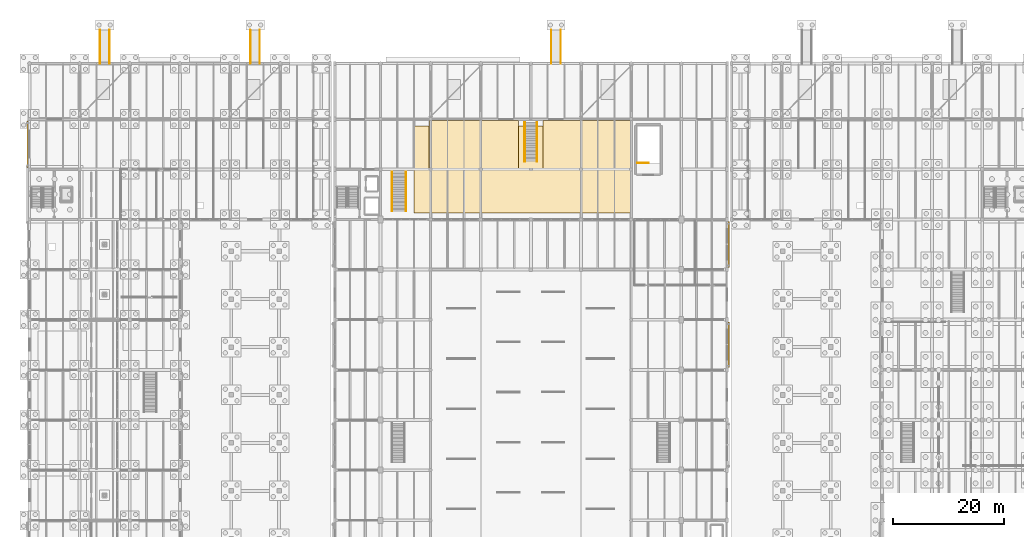
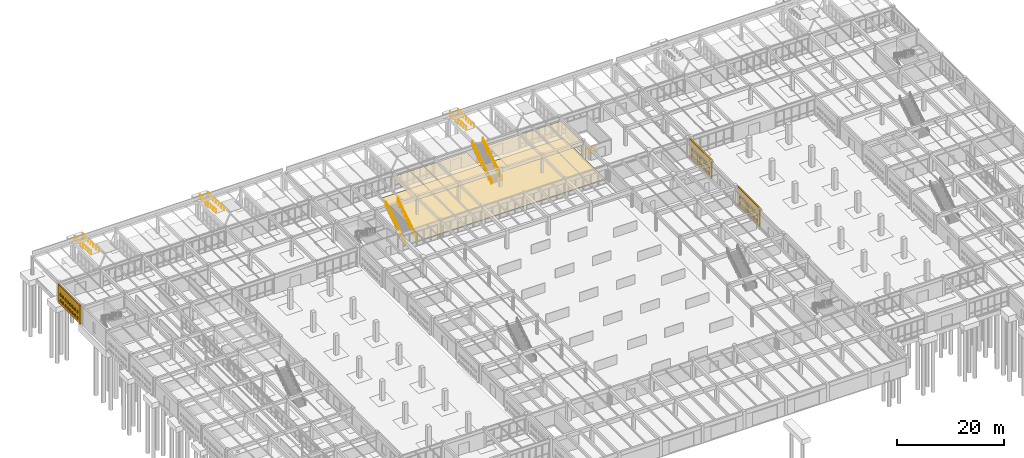
# One storey, part 182 of 186: 15 railings, 6 coverings.
"""IFC4 building model written with IfcOpenShell, lengths in metres."""

from ifc_helpers import new_model, si_unit, direction, frame, origin, origin_2d, place, context, subcontext, project, spatial, polyline, circle, outline, extrude, material, layer, layer_set, type_object, element, save


model = new_model("IFC4")

# Units and contexts
model_context = context("Model", 3, precision=1e-05, world=origin(), true_north=direction((0.0, 1.0)))
body_context = subcontext(model_context, "Body", "Model", "MODEL_VIEW")
ifc_project = project(units=[si_unit("LENGTHUNIT", "METRE"), si_unit("AREAUNIT", "SQUARE_METRE"), si_unit("VOLUMEUNIT", "CUBIC_METRE"), si_unit("PLANEANGLEUNIT", "RADIAN"), si_unit("MASSUNIT", "GRAM", prefix="KILO")], contexts=[model_context])

# Site, building, storey
site_placement = place(None, origin())
site = spatial("IfcSite", under=ifc_project, at=site_placement, CompositionType="ELEMENT")
building_placement = place(site_placement, origin())
building = spatial("IfcBuilding", under=site, at=building_placement, Name="Ornek Quay Market", CompositionType="ELEMENT")
storey_placement = place(building_placement, origin())
storey = spatial("IfcBuildingStorey", under=building, at=storey_placement, Name="L00", CompositionType="ELEMENT", Elevation=0.0)

# Coverings
ifc_material_1 = material(Name="Frost-resistant facing clay brick M200 F100", Category="masonry")
ifc_layer_1 = layer(ifc_material_1, 0.25, Name="Frost-resistant facing clay brick M200 F100", Category="masonry")
ifc_layer_set_1 = layer_set([ifc_layer_1], Name="Frost-resistant facing clay brick M200 F100")
covering_type_1 = type_object("IfcCoveringType", Name="COV-BRICK-LATTICE-250", PredefinedType="CLADDING", material=ifc_layer_set_1)
covering_1_placement = place(storey_placement, frame((-0.340087890625, 101.35009765625, 0.0), z_axis=(0.0, 0.0, 1.0), x_axis=(0.0, 1.0, 0.0)))
element("IfcCovering", 1, at=covering_1_placement, inside=storey, type_object=covering_type_1, Name="Arched brick lattice screen BLS-006", PredefinedType="CLADDING", context=body_context, shape_type="SweptSolid", body=[
    extrude(outline(polyline([(0.0, 0.0), (8.2998046875, 0.0), (8.2998046875, 4.219970703125), (0.0, 4.219970703125), (0.0, 0.0)]), holes=[polyline([(0.760009765625, 0.550048828125), (1.239990234375, 0.550048828125), (1.239990234375, 1.050048828125), (1.1201171875, 1.2578125), (0.8798828125, 1.2578125), (0.760009765625, 1.050048828125), (0.760009765625, 0.550048828125)]), polyline([(0.760009765625, 1.949951171875), (1.239990234375, 1.949951171875), (1.239990234375, 2.449951171875), (1.1201171875, 2.65771484375), (0.8798828125, 2.65771484375), (0.760009765625, 2.449951171875), (0.760009765625, 1.949951171875)]), polyline([(1.659912109375, 0.550048828125), (2.139892578125, 0.550048828125), (2.139892578125, 1.050048828125), (2.02001953125, 1.2578125), (1.780029296875, 1.2578125), (1.659912109375, 1.050048828125), (1.659912109375, 0.550048828125)]), polyline([(1.659912109375, 1.949951171875), (2.139892578125, 1.949951171875), (2.139892578125, 2.449951171875), (2.02001953125, 2.65771484375), (1.780029296875, 2.65771484375), (1.659912109375, 2.449951171875), (1.659912109375, 1.949951171875)]), polyline([(2.56005859375, 0.550048828125), (3.0400390625, 0.550048828125), (3.0400390625, 1.050048828125), (2.919921875, 1.2578125), (2.679931640625, 1.2578125), (2.56005859375, 1.050048828125), (2.56005859375, 0.550048828125)]), polyline([(2.56005859375, 1.949951171875), (3.0400390625, 1.949951171875), (3.0400390625, 2.449951171875), (2.919921875, 2.65771484375), (2.679931640625, 2.65771484375), (2.56005859375, 2.449951171875), (2.56005859375, 1.949951171875)]), polyline([(3.4599609375, 0.550048828125), (3.93994140625, 0.550048828125), (3.93994140625, 1.050048828125), (3.820068359375, 1.2578125), (3.580078125, 1.2578125), (3.4599609375, 1.050048828125), (3.4599609375, 0.550048828125)]), polyline([(3.4599609375, 1.949951171875), (3.93994140625, 1.949951171875), (3.93994140625, 2.449951171875), (3.820068359375, 2.65771484375), (3.580078125, 2.65771484375), (3.4599609375, 2.449951171875), (3.4599609375, 1.949951171875)]), polyline([(4.360107421875, 0.550048828125), (4.840087890625, 0.550048828125), (4.840087890625, 1.050048828125), (4.719970703125, 1.2578125), (4.47998046875, 1.2578125), (4.360107421875, 1.050048828125), (4.360107421875, 0.550048828125)]), polyline([(4.360107421875, 1.949951171875), (4.840087890625, 1.949951171875), (4.840087890625, 2.449951171875), (4.719970703125, 2.65771484375), (4.47998046875, 2.65771484375), (4.360107421875, 2.449951171875), (4.360107421875, 1.949951171875)]), polyline([(5.260009765625, 0.550048828125), (5.739990234375, 0.550048828125), (5.739990234375, 1.050048828125), (5.6201171875, 1.2578125), (5.3798828125, 1.2578125), (5.260009765625, 1.050048828125), (5.260009765625, 0.550048828125)]), polyline([(5.260009765625, 1.949951171875), (5.739990234375, 1.949951171875), (5.739990234375, 2.449951171875), (5.6201171875, 2.65771484375), (5.3798828125, 2.65771484375), (5.260009765625, 2.449951171875), (5.260009765625, 1.949951171875)]), polyline([(6.159912109375, 0.550048828125), (6.639892578125, 0.550048828125), (6.639892578125, 1.050048828125), (6.52001953125, 1.2578125), (6.280029296875, 1.2578125), (6.159912109375, 1.050048828125), (6.159912109375, 0.550048828125)]), polyline([(6.159912109375, 1.949951171875), (6.639892578125, 1.949951171875), (6.639892578125, 2.449951171875), (6.52001953125, 2.65771484375), (6.280029296875, 2.65771484375), (6.159912109375, 2.449951171875), (6.159912109375, 1.949951171875)]), polyline([(7.06005859375, 0.550048828125), (7.5400390625, 0.550048828125), (7.5400390625, 1.050048828125), (7.419921875, 1.2578125), (7.179931640625, 1.2578125), (7.06005859375, 1.050048828125), (7.06005859375, 0.550048828125)]), polyline([(7.06005859375, 1.949951171875), (7.5400390625, 1.949951171875), (7.5400390625, 2.449951171875), (7.419921875, 2.65771484375), (7.179931640625, 2.65771484375), (7.06005859375, 2.449951171875), (7.06005859375, 1.949951171875)])]), frame((0.0, 0.125, 0.0), z_axis=(0.0, -1.0, 0.0), x_axis=(1.0, 0.0, 0.0)), (0.0, 0.0, 1.0), 0.25),
])
ifc_layer_2 = layer(ifc_material_1, 0.2900390625, Name="Frost-resistant facing clay brick M200 F100", Category="masonry")
ifc_layer_set_2 = layer_set([ifc_layer_2], Name="Frost-resistant facing clay brick M200 F100")
covering_type_2 = type_object("IfcCoveringType", Name="COV-BRICK-LATTICE-290", PredefinedType="CLADDING", material=ifc_layer_set_2)
covering_2_placement = place(storey_placement, frame((125.5400390625, 65.39990234375, 0.0), z_axis=(0.0, 0.0, 1.0), x_axis=(0.0, 1.0, 0.0)))
element("IfcCovering", 2, at=covering_2_placement, inside=storey, type_object=covering_type_2, Name="Arched brick lattice screen BLS-040", PredefinedType="CLADDING", context=body_context, shape_type="SweptSolid", body=[
    extrude(outline(polyline([(0.0, 0.0), (8.2001953125, 0.0), (8.2001953125, 4.239990234375), (0.0, 4.239990234375), (0.0, 0.0)]), holes=[polyline([(0.7099609375, 0.550048828125), (1.18994140625, 0.550048828125), (1.18994140625, 1.050048828125), (1.070068359375, 1.2578125), (0.830078125, 1.2578125), (0.7099609375, 1.050048828125), (0.7099609375, 0.550048828125)]), polyline([(0.7099609375, 1.949951171875), (1.18994140625, 1.949951171875), (1.18994140625, 2.449951171875), (1.070068359375, 2.65771484375), (0.830078125, 2.65771484375), (0.7099609375, 2.449951171875), (0.7099609375, 1.949951171875)]), polyline([(1.610107421875, 0.550048828125), (2.090087890625, 0.550048828125), (2.090087890625, 1.050048828125), (1.969970703125, 1.2578125), (1.72998046875, 1.2578125), (1.610107421875, 1.050048828125), (1.610107421875, 0.550048828125)]), polyline([(1.610107421875, 1.949951171875), (2.090087890625, 1.949951171875), (2.090087890625, 2.449951171875), (1.969970703125, 2.65771484375), (1.72998046875, 2.65771484375), (1.610107421875, 2.449951171875), (1.610107421875, 1.949951171875)]), polyline([(2.510009765625, 0.550048828125), (2.989990234375, 0.550048828125), (2.989990234375, 1.050048828125), (2.8701171875, 1.2578125), (2.6298828125, 1.2578125), (2.510009765625, 1.050048828125), (2.510009765625, 0.550048828125)]), polyline([(2.510009765625, 1.949951171875), (2.989990234375, 1.949951171875), (2.989990234375, 2.449951171875), (2.8701171875, 2.65771484375), (2.6298828125, 2.65771484375), (2.510009765625, 2.449951171875), (2.510009765625, 1.949951171875)]), polyline([(3.409912109375, 0.550048828125), (3.889892578125, 0.550048828125), (3.889892578125, 1.050048828125), (3.77001953125, 1.2578125), (3.530029296875, 1.2578125), (3.409912109375, 1.050048828125), (3.409912109375, 0.550048828125)]), polyline([(3.409912109375, 1.949951171875), (3.889892578125, 1.949951171875), (3.889892578125, 2.449951171875), (3.77001953125, 2.65771484375), (3.530029296875, 2.65771484375), (3.409912109375, 2.449951171875), (3.409912109375, 1.949951171875)]), polyline([(4.31005859375, 0.550048828125), (4.7900390625, 0.550048828125), (4.7900390625, 1.050048828125), (4.669921875, 1.2578125), (4.429931640625, 1.2578125), (4.31005859375, 1.050048828125), (4.31005859375, 0.550048828125)]), polyline([(4.31005859375, 1.949951171875), (4.7900390625, 1.949951171875), (4.7900390625, 2.449951171875), (4.669921875, 2.65771484375), (4.429931640625, 2.65771484375), (4.31005859375, 2.449951171875), (4.31005859375, 1.949951171875)]), polyline([(5.2099609375, 0.550048828125), (5.68994140625, 0.550048828125), (5.68994140625, 1.050048828125), (5.570068359375, 1.2578125), (5.330078125, 1.2578125), (5.2099609375, 1.050048828125), (5.2099609375, 0.550048828125)]), polyline([(5.2099609375, 1.949951171875), (5.68994140625, 1.949951171875), (5.68994140625, 2.449951171875), (5.570068359375, 2.65771484375), (5.330078125, 2.65771484375), (5.2099609375, 2.449951171875), (5.2099609375, 1.949951171875)]), polyline([(6.110107421875, 0.550048828125), (6.590087890625, 0.550048828125), (6.590087890625, 1.050048828125), (6.469970703125, 1.2578125), (6.22998046875, 1.2578125), (6.110107421875, 1.050048828125), (6.110107421875, 0.550048828125)]), polyline([(6.110107421875, 1.949951171875), (6.590087890625, 1.949951171875), (6.590087890625, 2.449951171875), (6.469970703125, 2.65771484375), (6.22998046875, 2.65771484375), (6.110107421875, 2.449951171875), (6.110107421875, 1.949951171875)]), polyline([(7.010009765625, 0.550048828125), (7.489990234375, 0.550048828125), (7.489990234375, 1.050048828125), (7.3701171875, 1.2578125), (7.1298828125, 1.2578125), (7.010009765625, 1.050048828125), (7.010009765625, 0.550048828125)]), polyline([(7.010009765625, 1.949951171875), (7.489990234375, 1.949951171875), (7.489990234375, 2.449951171875), (7.3701171875, 2.65771484375), (7.1298828125, 2.65771484375), (7.010009765625, 2.449951171875), (7.010009765625, 1.949951171875)])]), frame((0.0, 0.14501953125, 0.0), z_axis=(0.0, -1.0, 0.0), x_axis=(1.0, 0.0, 0.0)), (0.0, 0.0, 1.0), 0.2900390625),
])
covering_3_placement = place(storey_placement, frame((125.5400390625, 83.39990234375, 0.0), z_axis=(0.0, 0.0, 1.0), x_axis=(0.0, 1.0, 0.0)))
element("IfcCovering", 3, at=covering_3_placement, inside=storey, type_object=covering_type_2, Name="Arched brick lattice screen BLS-041", PredefinedType="CLADDING", context=body_context, shape_type="SweptSolid", body=[
    extrude(outline(polyline([(0.0, 0.0), (8.2001953125, 0.0), (8.2001953125, 4.239990234375), (0.0, 4.239990234375), (0.0, 0.0)]), holes=[polyline([(0.7099609375, 0.550048828125), (1.18994140625, 0.550048828125), (1.18994140625, 1.050048828125), (1.070068359375, 1.2578125), (0.830078125, 1.2578125), (0.7099609375, 1.050048828125), (0.7099609375, 0.550048828125)]), polyline([(0.7099609375, 1.949951171875), (1.18994140625, 1.949951171875), (1.18994140625, 2.449951171875), (1.070068359375, 2.65771484375), (0.830078125, 2.65771484375), (0.7099609375, 2.449951171875), (0.7099609375, 1.949951171875)]), polyline([(1.610107421875, 0.550048828125), (2.090087890625, 0.550048828125), (2.090087890625, 1.050048828125), (1.969970703125, 1.2578125), (1.72998046875, 1.2578125), (1.610107421875, 1.050048828125), (1.610107421875, 0.550048828125)]), polyline([(1.610107421875, 1.949951171875), (2.090087890625, 1.949951171875), (2.090087890625, 2.449951171875), (1.969970703125, 2.65771484375), (1.72998046875, 2.65771484375), (1.610107421875, 2.449951171875), (1.610107421875, 1.949951171875)]), polyline([(2.510009765625, 0.550048828125), (2.989990234375, 0.550048828125), (2.989990234375, 1.050048828125), (2.8701171875, 1.2578125), (2.6298828125, 1.2578125), (2.510009765625, 1.050048828125), (2.510009765625, 0.550048828125)]), polyline([(2.510009765625, 1.949951171875), (2.989990234375, 1.949951171875), (2.989990234375, 2.449951171875), (2.8701171875, 2.65771484375), (2.6298828125, 2.65771484375), (2.510009765625, 2.449951171875), (2.510009765625, 1.949951171875)]), polyline([(3.409912109375, 0.550048828125), (3.889892578125, 0.550048828125), (3.889892578125, 1.050048828125), (3.77001953125, 1.2578125), (3.530029296875, 1.2578125), (3.409912109375, 1.050048828125), (3.409912109375, 0.550048828125)]), polyline([(3.409912109375, 1.949951171875), (3.889892578125, 1.949951171875), (3.889892578125, 2.449951171875), (3.77001953125, 2.65771484375), (3.530029296875, 2.65771484375), (3.409912109375, 2.449951171875), (3.409912109375, 1.949951171875)]), polyline([(4.31005859375, 0.550048828125), (4.7900390625, 0.550048828125), (4.7900390625, 1.050048828125), (4.669921875, 1.2578125), (4.429931640625, 1.2578125), (4.31005859375, 1.050048828125), (4.31005859375, 0.550048828125)]), polyline([(4.31005859375, 1.949951171875), (4.7900390625, 1.949951171875), (4.7900390625, 2.449951171875), (4.669921875, 2.65771484375), (4.429931640625, 2.65771484375), (4.31005859375, 2.449951171875), (4.31005859375, 1.949951171875)]), polyline([(5.2099609375, 0.550048828125), (5.68994140625, 0.550048828125), (5.68994140625, 1.050048828125), (5.570068359375, 1.2578125), (5.330078125, 1.2578125), (5.2099609375, 1.050048828125), (5.2099609375, 0.550048828125)]), polyline([(5.2099609375, 1.949951171875), (5.68994140625, 1.949951171875), (5.68994140625, 2.449951171875), (5.570068359375, 2.65771484375), (5.330078125, 2.65771484375), (5.2099609375, 2.449951171875), (5.2099609375, 1.949951171875)]), polyline([(6.110107421875, 0.550048828125), (6.590087890625, 0.550048828125), (6.590087890625, 1.050048828125), (6.469970703125, 1.2578125), (6.22998046875, 1.2578125), (6.110107421875, 1.050048828125), (6.110107421875, 0.550048828125)]), polyline([(6.110107421875, 1.949951171875), (6.590087890625, 1.949951171875), (6.590087890625, 2.449951171875), (6.469970703125, 2.65771484375), (6.22998046875, 2.65771484375), (6.110107421875, 2.449951171875), (6.110107421875, 1.949951171875)]), polyline([(7.010009765625, 0.550048828125), (7.489990234375, 0.550048828125), (7.489990234375, 1.050048828125), (7.3701171875, 1.2578125), (7.1298828125, 1.2578125), (7.010009765625, 1.050048828125), (7.010009765625, 0.550048828125)]), polyline([(7.010009765625, 1.949951171875), (7.489990234375, 1.949951171875), (7.489990234375, 2.449951171875), (7.3701171875, 2.65771484375), (7.1298828125, 2.65771484375), (7.010009765625, 2.449951171875), (7.010009765625, 1.949951171875)])]), frame((0.0, 0.14501953125, 0.0), z_axis=(0.0, -1.0, 0.0), x_axis=(1.0, 0.0, 0.0)), (0.0, 0.0, 1.0), 0.2900390625),
])
ifc_material_2 = material(Name="Perforated larch acoustic slat ceiling", Category="other")
ifc_layer_3 = layer(ifc_material_2, 0.044921875, Name="Perforated larch acoustic slat ceiling", Category="other")
ifc_layer_set_3 = layer_set([ifc_layer_3], Name="Perforated larch acoustic slat ceiling")
covering_type_3 = type_object("IfcCoveringType", Name="COV-CEIL-TIMBER-45", PredefinedType="CEILING", material=ifc_layer_set_3)
covering_4_placement = place(storey_placement, frame((0.0, 0.0, 3.199951171875)))
element("IfcCovering", 4, at=covering_4_placement, inside=storey, type_object=covering_type_3, Name="Suspended acoustic ceiling CLG-04", PredefinedType="CEILING", context=body_context, shape_type="SweptSolid", body=[
    extrude(outline(polyline([(71.75, 101.0), (87.800048828125, 101.0), (87.800048828125, 109.800048828125), (71.75, 109.800048828125), (71.75, 101.0)])), origin(), (0.0, 0.0, 1.0), 0.045166015625),
])
covering_5_placement = place(storey_placement, frame((0.0, 0.0, 3.199951171875)))
element("IfcCovering", 5, at=covering_5_placement, inside=storey, type_object=covering_type_3, Name="Suspended acoustic ceiling CLG-05", PredefinedType="CEILING", context=body_context, shape_type="SweptSolid", body=[
    extrude(outline(polyline([(92.199951171875, 101.0), (108.25, 101.0), (108.25, 109.800048828125), (92.199951171875, 109.800048828125), (92.199951171875, 101.0)])), origin(), (0.0, 0.0, 1.0), 0.045166015625),
])
ifc_material_3 = material(Name="Polished granite-aggregate terrazzo flooring", Category="masonry")
ifc_layer_4 = layer(ifc_material_3, 0.034912109375, Name="Polished granite-aggregate terrazzo flooring", Category="masonry")
ifc_layer_set_4 = layer_set([ifc_layer_4], Name="Polished granite-aggregate terrazzo flooring")
covering_type_4 = type_object("IfcCoveringType", Name="COV-FLR-TERRAZZO-35", PredefinedType="FLOORING", material=ifc_layer_set_4)
covering_6_placement = place(storey_placement, origin())
element("IfcCovering", 6, at=covering_6_placement, inside=storey, type_object=covering_type_4, Name="Finished flooring FLG-15", PredefinedType="FLOORING", context=body_context, shape_type="SweptSolid", body=[
    extrude(outline(polyline([(69.0, 93.199951171875), (108.199951171875, 93.199951171875), (108.199951171875, 108.800048828125), (69.0, 108.800048828125), (69.0, 93.199951171875)])), origin(), (0.0, 0.0, 1.0), 0.034912109375),
])

# Railings
ifc_material_4 = material(Name="Brushed stainless steel 316", Category="steel")
railing_type_1 = type_object("IfcRailingType", Name="RL-GUARD-STAIR-1100", PredefinedType="GUARDRAIL", material=ifc_material_4)
for number, where, name in (
    (7, (65.06005859375, 93.50390625, 0.0), "Railing GR-03-085"),
    (8, (67.639892578125, 93.50390625, 0.0), "Railing GR-03-086"),
):
    element("IfcRailing", number, at=place(storey_placement, frame(where)), inside=storey, type_object=railing_type_1, Name=name, PredefinedType="GUARDRAIL", context=body_context, shape_type="SweptSolid", body=[
        extrude(circle(Radius=0.02392578125, at=origin_2d()), frame((0.0, 0.0, 1.09619140625), z_axis=(0.0, 0.841041130436, 0.540971179376), x_axis=(-1.0, 0.0, 0.0)), (0.0, 0.0, 1.0), 8.318359375),
        extrude(circle(Radius=0.02099609375, at=origin_2d()), origin(), (0.0, 0.0, 1.0), 1.068115234375),
        extrude(circle(Radius=0.02099609375, at=origin_2d()), frame((0.0, 0.87451171875, 0.5625)), (0.0, 0.0, 1.0), 1.068115234375),
        extrude(circle(Radius=0.02099609375, at=origin_2d()), frame((0.0, 1.7490234375, 1.125)), (0.0, 0.0, 1.0), 1.068115234375),
        extrude(circle(Radius=0.02099609375, at=origin_2d()), frame((0.0, 2.62353515625, 1.6875)), (0.0, 0.0, 1.0), 1.068115234375),
        extrude(circle(Radius=0.02099609375, at=origin_2d()), frame((0.0, 3.498046875, 2.25)), (0.0, 0.0, 1.0), 1.068115234375),
        extrude(circle(Radius=0.02099609375, at=origin_2d()), frame((0.0, 4.37255859375, 2.8125)), (0.0, 0.0, 1.0), 1.068115234375),
        extrude(circle(Radius=0.02099609375, at=origin_2d()), frame((0.0, 5.2470703125, 3.375)), (0.0, 0.0, 1.0), 1.068115234375),
        extrude(circle(Radius=0.02099609375, at=origin_2d()), frame((0.0, 6.12158203125, 3.9375)), (0.0, 0.0, 1.0), 1.068115234375),
        extrude(circle(Radius=0.02099609375, at=origin_2d()), frame((0.0, 6.99609375, 4.5)), (0.0, 0.0, 1.0), 1.068115234375),
    ])
for number, where, name in (
    (9, (88.860107421875, 102.404052734375, 0.0), "Railing GR-03-115"),
    (10, (91.139892578125, 102.404052734375, 0.0), "Railing GR-03-116"),
):
    element("IfcRailing", number, at=place(storey_placement, frame(where)), inside=storey, type_object=railing_type_1, Name=name, PredefinedType="GUARDRAIL", context=body_context, shape_type="SweptSolid", body=[
        extrude(circle(Radius=0.02392578125, at=origin_2d()), frame((0.0, 0.0, 1.09619140625), z_axis=(0.0, 0.841032540973, 0.540984533073), x_axis=(-1.0, 0.0, 0.0)), (0.0, 0.0, 1.0), 8.318115234375),
        extrude(circle(Radius=0.02099609375, at=origin_2d()), origin(), (0.0, 0.0, 1.0), 1.068115234375),
        extrude(circle(Radius=0.02099609375, at=origin_2d()), frame((0.0, 0.87451171875, 0.5625)), (0.0, 0.0, 1.0), 1.068115234375),
        extrude(circle(Radius=0.02099609375, at=origin_2d()), frame((0.0, 1.7490234375, 1.125)), (0.0, 0.0, 1.0), 1.068115234375),
        extrude(circle(Radius=0.02099609375, at=origin_2d()), frame((0.0, 2.62353515625, 1.6875)), (0.0, 0.0, 1.0), 1.068115234375),
        extrude(circle(Radius=0.02099609375, at=origin_2d()), frame((0.0, 3.498046875, 2.25)), (0.0, 0.0, 1.0), 1.068115234375),
        extrude(circle(Radius=0.02099609375, at=origin_2d()), frame((0.0, 4.372314453125, 2.8125)), (0.0, 0.0, 1.0), 1.068115234375),
        extrude(circle(Radius=0.02099609375, at=origin_2d()), frame((0.0, 5.246826171875, 3.375)), (0.0, 0.0, 1.0), 1.068115234375),
        extrude(circle(Radius=0.02099609375, at=origin_2d()), frame((0.0, 6.121337890625, 3.9375)), (0.0, 0.0, 1.0), 1.068115234375),
        extrude(circle(Radius=0.02099609375, at=origin_2d()), frame((0.0, 6.995849609375, 4.5)), (0.0, 0.0, 1.0), 1.068115234375),
    ])
railing_placement = place(storey_placement, frame((109.1201171875, 102.1201171875, 0.0)))
element("IfcRailing", 11, at=railing_placement, inside=storey, type_object=railing_type_1, Name="Railing GR-03-127", PredefinedType="GUARDRAIL", context=body_context, shape_type="SweptSolid", body=[
    extrude(circle(Radius=0.02392578125, at=origin_2d()), frame((0.0, 0.0, 1.09619140625), z_axis=(1.0, 0.0, 0.0), x_axis=(0.0, 1.0, 0.0)), (0.0, 0.0, 1.0), 2.02978515625),
    extrude(circle(Radius=0.02099609375, at=origin_2d()), origin(), (0.0, 0.0, 1.0), 1.068115234375),
    extrude(circle(Radius=0.02099609375, at=origin_2d()), frame((1.014892578125, 0.0, 0.0)), (0.0, 0.0, 1.0), 1.068115234375),
    extrude(circle(Radius=0.02099609375, at=origin_2d()), frame((2.02978515625, 0.0, 0.0)), (0.0, 0.0, 1.0), 1.068115234375),
])
railing_type_2 = type_object("IfcRailingType", Name="RL-HANDRAIL-920", PredefinedType="HANDRAIL", material=ifc_material_4)
for number, where, name in (
    (12, (12.64990234375, 126.0, -0.300048828125), "Ramp handrail HR-R1W"),
    (13, (14.35009765625, 126.0, -0.300048828125), "Ramp handrail HR-R1E"),
    (14, (39.64990234375, 126.0, -0.300048828125), "Ramp handrail HR-R2W"),
    (15, (41.35009765625, 126.0, -0.300048828125), "Ramp handrail HR-R2E"),
    (16, (93.64990234375, 126.0, -0.300048828125), "Ramp handrail HR-R3W"),
    (17, (95.35009765625, 126.0, -0.300048828125), "Ramp handrail HR-R3E"),
):
    element("IfcRailing", number, at=place(storey_placement, frame(where)), inside=storey, type_object=railing_type_2, Name=name, PredefinedType="HANDRAIL", context=body_context, shape_type="SweptSolid", body=[
        extrude(circle(Radius=0.02392578125, at=origin_2d()), frame((0.0, 0.0, 0.89599609375), z_axis=(0.0, -0.998751933465, 0.049945724537), x_axis=(1.0, 0.0, 0.0)), (0.0, 0.0, 1.0), 6.007568359375),
        extrude(circle(Radius=0.02099609375, at=origin_2d()), origin(), (0.0, 0.0, 1.0), 0.867919921875),
        extrude(circle(Radius=0.02099609375, at=origin_2d()), frame((0.0, -1.0, 0.050048828125)), (0.0, 0.0, 1.0), 0.867919921875),
        extrude(circle(Radius=0.02099609375, at=origin_2d()), frame((0.0, -2.0, 0.10009765625)), (0.0, 0.0, 1.0), 0.867919921875),
        extrude(circle(Radius=0.02099609375, at=origin_2d()), frame((0.0, -3.0, 0.14990234375)), (0.0, 0.0, 1.0), 0.867919921875),
        extrude(circle(Radius=0.02099609375, at=origin_2d()), frame((0.0, -4.0, 0.199951171875)), (0.0, 0.0, 1.0), 0.867919921875),
        extrude(circle(Radius=0.02099609375, at=origin_2d()), frame((0.0, -5.0, 0.25)), (0.0, 0.0, 1.0), 0.867919921875),
        extrude(circle(Radius=0.02099609375, at=origin_2d()), frame((0.0, -6.0, 0.300048828125)), (0.0, 0.0, 1.0), 0.867919921875),
    ])
for number, where, name in (
    (18, (65.1201171875, 93.50390625, 0.080078125), "Railing HR-01-087"),
    (19, (67.580078125, 93.50390625, 0.080078125), "Railing HR-01-088"),
):
    element("IfcRailing", number, at=place(storey_placement, frame(where)), inside=storey, type_object=railing_type_2, Name=name, PredefinedType="HANDRAIL", context=body_context, shape_type="SweptSolid", body=[
        extrude(circle(Radius=0.02392578125, at=origin_2d()), frame((0.0, 0.0, 0.89599609375), z_axis=(0.0, 0.841041130436, 0.540971179376), x_axis=(-1.0, 0.0, 0.0)), (0.0, 0.0, 1.0), 8.318359375),
        extrude(circle(Radius=0.02099609375, at=origin_2d()), origin(), (0.0, 0.0, 1.0), 0.867919921875),
        extrude(circle(Radius=0.02099609375, at=origin_2d()), frame((0.0, 0.87451171875, 0.5625)), (0.0, 0.0, 1.0), 0.867919921875),
        extrude(circle(Radius=0.02099609375, at=origin_2d()), frame((0.0, 1.7490234375, 1.125)), (0.0, 0.0, 1.0), 0.867919921875),
        extrude(circle(Radius=0.02099609375, at=origin_2d()), frame((0.0, 2.62353515625, 1.6875)), (0.0, 0.0, 1.0), 0.867919921875),
        extrude(circle(Radius=0.02099609375, at=origin_2d()), frame((0.0, 3.498046875, 2.25)), (0.0, 0.0, 1.0), 0.867919921875),
        extrude(circle(Radius=0.02099609375, at=origin_2d()), frame((0.0, 4.37255859375, 2.8125)), (0.0, 0.0, 1.0), 0.867919921875),
        extrude(circle(Radius=0.02099609375, at=origin_2d()), frame((0.0, 5.2470703125, 3.375)), (0.0, 0.0, 1.0), 0.867919921875),
        extrude(circle(Radius=0.02099609375, at=origin_2d()), frame((0.0, 6.12158203125, 3.9375)), (0.0, 0.0, 1.0), 0.867919921875),
        extrude(circle(Radius=0.02099609375, at=origin_2d()), frame((0.0, 6.99609375, 4.5)), (0.0, 0.0, 1.0), 0.867919921875),
    ])
for number, where, name in (
    (20, (88.919921875, 102.404052734375, 0.080078125), "Railing HR-01-117"),
    (21, (91.080078125, 102.404052734375, 0.080078125), "Railing HR-01-118"),
):
    element("IfcRailing", number, at=place(storey_placement, frame(where)), inside=storey, type_object=railing_type_2, Name=name, PredefinedType="HANDRAIL", context=body_context, shape_type="SweptSolid", body=[
        extrude(circle(Radius=0.02392578125, at=origin_2d()), frame((0.0, 0.0, 0.89599609375), z_axis=(0.0, 0.841032540973, 0.540984533073), x_axis=(-1.0, 0.0, 0.0)), (0.0, 0.0, 1.0), 8.318115234375),
        extrude(circle(Radius=0.02099609375, at=origin_2d()), origin(), (0.0, 0.0, 1.0), 0.867919921875),
        extrude(circle(Radius=0.02099609375, at=origin_2d()), frame((0.0, 0.87451171875, 0.5625)), (0.0, 0.0, 1.0), 0.867919921875),
        extrude(circle(Radius=0.02099609375, at=origin_2d()), frame((0.0, 1.7490234375, 1.125)), (0.0, 0.0, 1.0), 0.867919921875),
        extrude(circle(Radius=0.02099609375, at=origin_2d()), frame((0.0, 2.62353515625, 1.6875)), (0.0, 0.0, 1.0), 0.867919921875),
        extrude(circle(Radius=0.02099609375, at=origin_2d()), frame((0.0, 3.498046875, 2.25)), (0.0, 0.0, 1.0), 0.867919921875),
        extrude(circle(Radius=0.02099609375, at=origin_2d()), frame((0.0, 4.372314453125, 2.8125)), (0.0, 0.0, 1.0), 0.867919921875),
        extrude(circle(Radius=0.02099609375, at=origin_2d()), frame((0.0, 5.246826171875, 3.375)), (0.0, 0.0, 1.0), 0.867919921875),
        extrude(circle(Radius=0.02099609375, at=origin_2d()), frame((0.0, 6.121337890625, 3.9375)), (0.0, 0.0, 1.0), 0.867919921875),
        extrude(circle(Radius=0.02099609375, at=origin_2d()), frame((0.0, 6.995849609375, 4.5)), (0.0, 0.0, 1.0), 0.867919921875),
    ])

save(model, "model.ifc")
